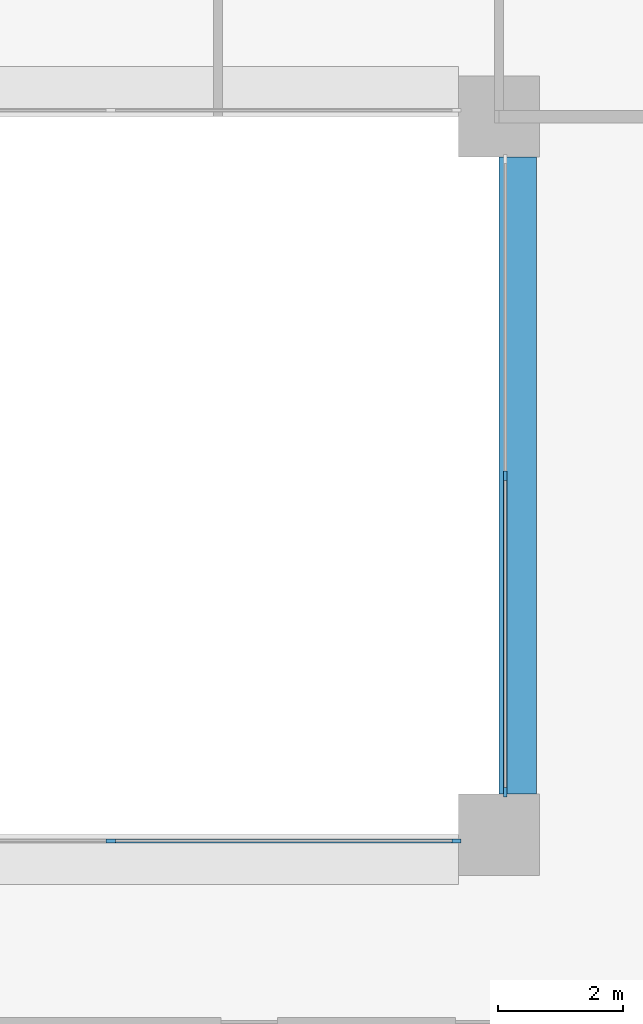
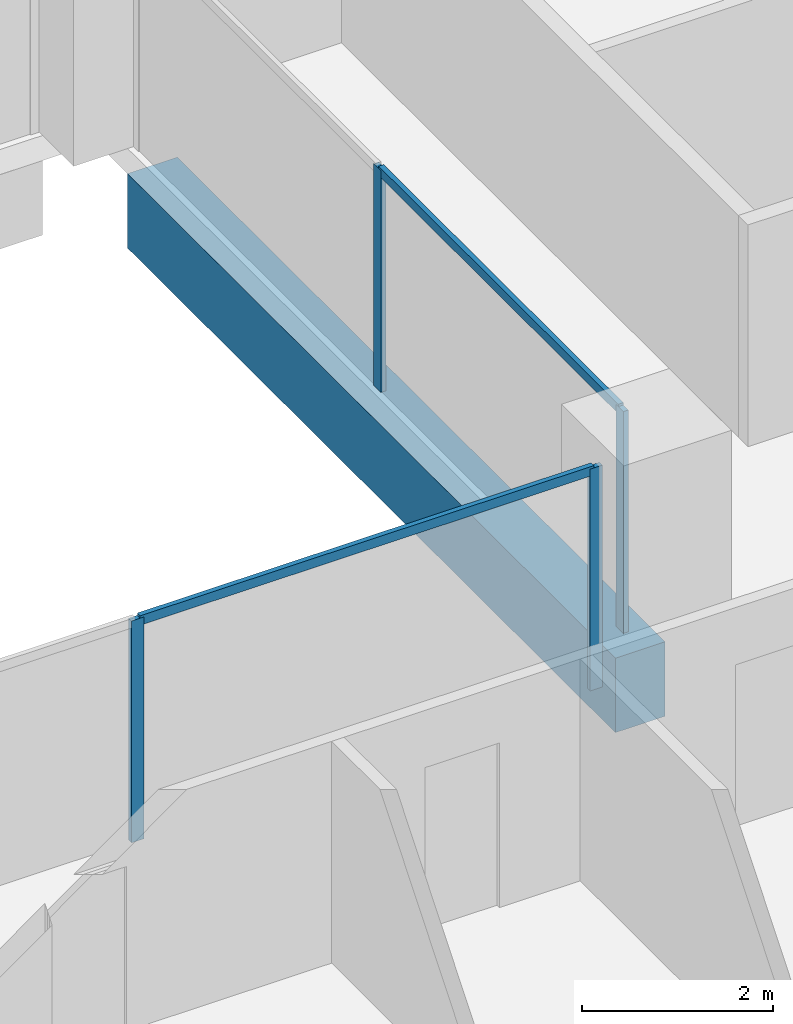
# One storey, part 4 of 16: 6 members, 1 beam, 2 elements without a shape of their own.
"""IFC4 building model written with IfcOpenShell, lengths in metres."""

from ifc_helpers import new_model, si_unit, direction, frame, origin, origin_2d, place, context, subcontext, project, spatial, rectangle, extrude, material, layer, layer_set, material_profile, profile_set, type_object, element, aggregate, save


model = new_model("IFC4")

# Units and contexts
model_context = context("Model", 3, precision=1e-05, world=origin(), true_north=direction((0.0, 1.0)))
body_context = subcontext(model_context, "Body", "Model", "MODEL_VIEW")
ifc_project = project(units=[si_unit("LENGTHUNIT", "METRE"), si_unit("AREAUNIT", "SQUARE_METRE"), si_unit("VOLUMEUNIT", "CUBIC_METRE"), si_unit("PLANEANGLEUNIT", "RADIAN"), si_unit("MASSUNIT", "GRAM", prefix="KILO")], contexts=[model_context])

# Site, building, storey
site_placement = place(None, origin())
site = spatial("IfcSite", under=ifc_project, at=site_placement, CompositionType="ELEMENT")
building_placement = place(site_placement, origin())
building = spatial("IfcBuilding", under=site, at=building_placement, Name="Brigalow Station Residences", CompositionType="ELEMENT")
storey_placement = place(building_placement, frame((0.0, 0.0, 93.0)))
storey = spatial("IfcBuildingStorey", under=building, at=storey_placement, Name="L26", CompositionType="ELEMENT", Elevation=93.0)

# Beam
ifc_material_1 = material(Name="Concrete C65", Category="concrete")
ifc_material_profile_1 = material_profile(ifc_material_1, rectangle(XDim=0.60009765625, YDim=0.949951171875, at=origin_2d()), Name="RC600x950")
ifc_profile_set_1 = profile_set([ifc_material_profile_1], Name="Concrete C65")
beam_type = type_object("IfcBeamType", Name="ATRIUM EDGE GIRDER 600x950 C65", PredefinedType="BEAM", material=ifc_profile_set_1)
beam_placement = place(storey_placement, frame((45.300048828125, 24.64990234375, -0.794921875), z_axis=(0.0, 1.0, 0.0), x_axis=(-1.0, 0.0, 0.0)))
element("IfcBeam", 1, at=beam_placement, inside=storey, type_object=beam_type, Name="ATRIUM EDGE GIRDER 5 L26", PredefinedType="BEAM", context=body_context, shape_type="SweptSolid", body=[
    extrude(rectangle(XDim=0.60009765625, YDim=0.949951171875, at=origin_2d()), origin(), (0.0, 0.0, 1.0), 10.2001953125),
])

# Curtain wall, members
ifc_material_2 = material(Name="Aluminium", Category="aluminium")
ifc_layer = layer(ifc_material_2, 0.14990234375)
ifc_layer_set = layer_set([ifc_layer], Name="ATRIUM FIRE-RATED GLAZING CURTAIN WALL")
curtain_wall_type = type_object("IfcCurtainWallType", Name="ATRIUM FIRE-RATED GLAZING CURTAIN WALL", PredefinedType="NOTDEFINED", material=ifc_layer_set)
curtain_wall_1_placement = place(storey_placement, origin())
curtain_wall_1 = element("IfcCurtainWall", 2, at=curtain_wall_1_placement, inside=storey, type_object=curtain_wall_type, Name="L26/cw/atrium-S", PredefinedType="NOTDEFINED")
ifc_material_3 = material(Name="Aluminium", Category="aluminium")
ifc_material_profile_2 = material_profile(ifc_material_3, rectangle(XDim=0.06005859375, YDim=0.14990234375, at=origin_2d()), Name="ATRIUM FIRE-RATED GLAZING MULLION 60x150")
ifc_profile_set_2 = profile_set([ifc_material_profile_2], Name="Aluminium")
member_type_1 = type_object("IfcMemberType", Name="ATRIUM FIRE-RATED GLAZING MULLION 60x150", PredefinedType="MULLION", material=ifc_profile_set_2)
member_1_placement = place(storey_placement, frame((38.783203125, 23.89990234375, 0.0), z_axis=(0.0, 0.0, 1.0), x_axis=(0.0, 1.0, 0.0)))
member_1 = element("IfcMember", 3, at=member_1_placement, type_object=member_type_1, Name="L26/cw/atrium-S/M02", PredefinedType="MULLION", context=body_context, shape_type="SweptSolid", body=[
    extrude(rectangle(XDim=0.06005859375, YDim=0.14990234375, at=origin_2d()), origin(), (0.0, 0.0, 1.0), 2.830078125),
])
member_2_placement = place(storey_placement, frame((44.320068359375, 23.89990234375, 0.0), z_axis=(0.0, 0.0, 1.0), x_axis=(0.0, 1.0, 0.0)))
member_2 = element("IfcMember", 4, at=member_2_placement, type_object=member_type_1, Name="L26/cw/atrium-S/M03", PredefinedType="MULLION", context=body_context, shape_type="SweptSolid", body=[
    extrude(rectangle(XDim=0.06005859375, YDim=0.14990234375, at=origin_2d()), origin(), (0.0, 0.0, 1.0), 2.830078125),
])

curtain_wall_2_placement = place(storey_placement, origin())
curtain_wall_2 = element("IfcCurtainWall", 5, at=curtain_wall_2_placement, inside=storey, type_object=curtain_wall_type, Name="L26/cw/atrium-E", PredefinedType="NOTDEFINED")
member_3_placement = place(storey_placement, frame((45.10009765625, 24.679931640625, 0.0), z_axis=(0.0, 0.0, 1.0), x_axis=(-1.0, 0.0, 0.0)))
member_3 = element("IfcMember", 6, at=member_3_placement, type_object=member_type_1, Name="L26/cw/atrium-E/M00", PredefinedType="MULLION", context=body_context, shape_type="SweptSolid", body=[
    extrude(rectangle(XDim=0.06005859375, YDim=0.14990234375, at=origin_2d()), origin(), (0.0, 0.0, 1.0), 2.830078125),
])
member_4_placement = place(storey_placement, frame((45.10009765625, 29.75, 0.0), z_axis=(0.0, 0.0, 1.0), x_axis=(-1.0, 0.0, 0.0)))
member_4 = element("IfcMember", 7, at=member_4_placement, type_object=member_type_1, Name="L26/cw/atrium-E/M01", PredefinedType="MULLION", context=body_context, shape_type="SweptSolid", body=[
    extrude(rectangle(XDim=0.06005859375, YDim=0.14990234375, at=origin_2d()), origin(), (0.0, 0.0, 1.0), 2.830078125),
])

# Member
ifc_material_4 = material(Name="Aluminium", Category="aluminium")
ifc_material_profile_3 = material_profile(ifc_material_4, rectangle(XDim=0.06005859375, YDim=0.1201171875, at=origin_2d()), Name="ATRIUM FIRE-RATED GLAZING TRANSOM 60x120")
ifc_profile_set_3 = profile_set([ifc_material_profile_3], Name="Aluminium")
member_type_2 = type_object("IfcMemberType", Name="ATRIUM FIRE-RATED GLAZING TRANSOM 60x120", PredefinedType="USERDEFINED", material=ifc_profile_set_3)
member_5_placement = place(storey_placement, frame((38.813232421875, 23.89990234375, 2.800048828125), z_axis=(1.0, 0.0, 0.0), x_axis=(0.0, 1.0, 0.0)))
member_5 = element("IfcMember", 8, at=member_5_placement, type_object=member_type_2, Name="L26/cw/atrium-S/T02-00", ObjectType="TRANSOM", PredefinedType="USERDEFINED", context=body_context, shape_type="SweptSolid", body=[
    extrude(rectangle(XDim=0.06005859375, YDim=0.1201171875, at=origin_2d()), origin(), (0.0, 0.0, 1.0), 5.476806640625),
])

aggregate(curtain_wall_1, [member_1, member_2, member_5])

member_6_placement = place(storey_placement, frame((45.10009765625, 24.7099609375, 2.800048828125), z_axis=(0.0, 1.0, 0.0), x_axis=(-1.0, 0.0, 0.0)))
member_6 = element("IfcMember", 9, at=member_6_placement, type_object=member_type_2, Name="L26/cw/atrium-E/T00-00", ObjectType="TRANSOM", PredefinedType="USERDEFINED", context=body_context, shape_type="SweptSolid", body=[
    extrude(rectangle(XDim=0.06005859375, YDim=0.1201171875, at=origin_2d()), origin(), (0.0, 0.0, 1.0), 5.010009765625),
])

aggregate(curtain_wall_2, [member_3, member_4, member_6])

save(model, "model.ifc")
